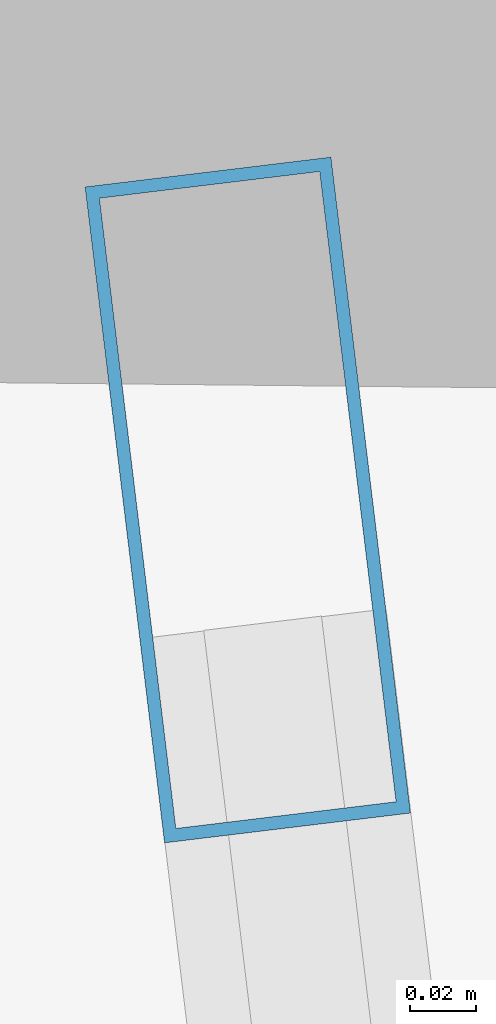
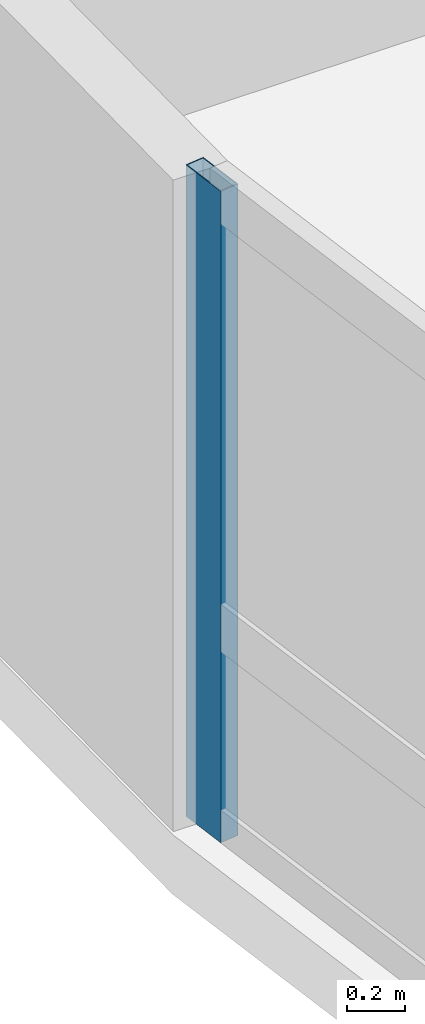
# One storey, part 8 of 22: 1 member, 1 element without a shape of its own.
"""IFC4 building model written with IfcOpenShell, lengths in metres."""

from ifc_helpers import new_model, si_unit, direction, frame, origin, origin_2d, place, context, subcontext, project, spatial, hollow_rectangle, extrude, material, layer, layer_set, material_profile, profile_set, type_object, element, aggregate, save


model = new_model("IFC4")

# Units and contexts
model_context = context("Model", 3, precision=1e-05, world=origin(), true_north=direction((0.0, 1.0)))
body_context = subcontext(model_context, "Body", "Model", "MODEL_VIEW")
ifc_project = project(units=[si_unit("LENGTHUNIT", "METRE"), si_unit("AREAUNIT", "SQUARE_METRE"), si_unit("VOLUMEUNIT", "CUBIC_METRE"), si_unit("PLANEANGLEUNIT", "RADIAN"), si_unit("MASSUNIT", "GRAM", prefix="KILO")], contexts=[model_context])

# Site, building, storey
site_placement = place(None, origin())
site = spatial("IfcSite", under=ifc_project, at=site_placement, CompositionType="ELEMENT")
building_placement = place(site_placement, origin())
building = spatial("IfcBuilding", under=site, at=building_placement, Name="Varnelok Gate Tower", CompositionType="ELEMENT")
storey_placement = place(building_placement, frame((0.0, 0.0, 185.699951171875)))
storey = spatial("IfcBuildingStorey", under=building, at=storey_placement, Name="L47", CompositionType="ELEMENT", Elevation=185.699951171875)

# Curtain wall, member
ifc_material = material(Name="Anodized Aluminum Alloy 6063-T6", Category="aluminium")
ifc_layer = layer(ifc_material, 0.179931640625)
ifc_layer_set = layer_set([ifc_layer], Name="Anodized Aluminum Alloy 6063-T6")
curtain_wall_type = type_object("IfcCurtainWallType", Name="CW4-RESIDENCE-VISION", PredefinedType="USERDEFINED", material=ifc_layer_set)
curtain_wall_placement = place(storey_placement, origin())
curtain_wall = element("IfcCurtainWall", 1, at=curtain_wall_placement, inside=storey, type_object=curtain_wall_type, Name="L47 West End Vision Curtain Wall", ObjectType="UNITISED CURTAIN WALL", PredefinedType="USERDEFINED")
ifc_material_profile = material_profile(ifc_material, hollow_rectangle(XDim=0.074951171875, YDim=0.199951171875, WallThickness=0.00390625, at=origin_2d()), Name="ALU200X75X4")
ifc_profile_set = profile_set([ifc_material_profile], Name="Anodized Aluminum Alloy 6063-T6")
member_type = type_object("IfcMemberType", Name="CW-MULL-200", PredefinedType="MULLION", material=ifc_profile_set)
member_placement = place(storey_placement, frame((2.290283203125, 37.610107421875, 0.0), z_axis=(0.0, 0.0, 1.0), x_axis=(-0.992732188751, -0.120344511371, 0.0)))
member = element("IfcMember", 2, at=member_placement, type_object=member_type, Name="CW4 mullion 6", PredefinedType="MULLION", context=body_context, shape_type="SweptSolid", body=[
    extrude(hollow_rectangle(XDim=0.074951171875, YDim=0.199951171875, WallThickness=0.00390625, at=origin_2d()), origin(), (0.0, 0.0, 1.0), 2.72998046875),
])
aggregate(curtain_wall, [member])

save(model, "model.ifc")
